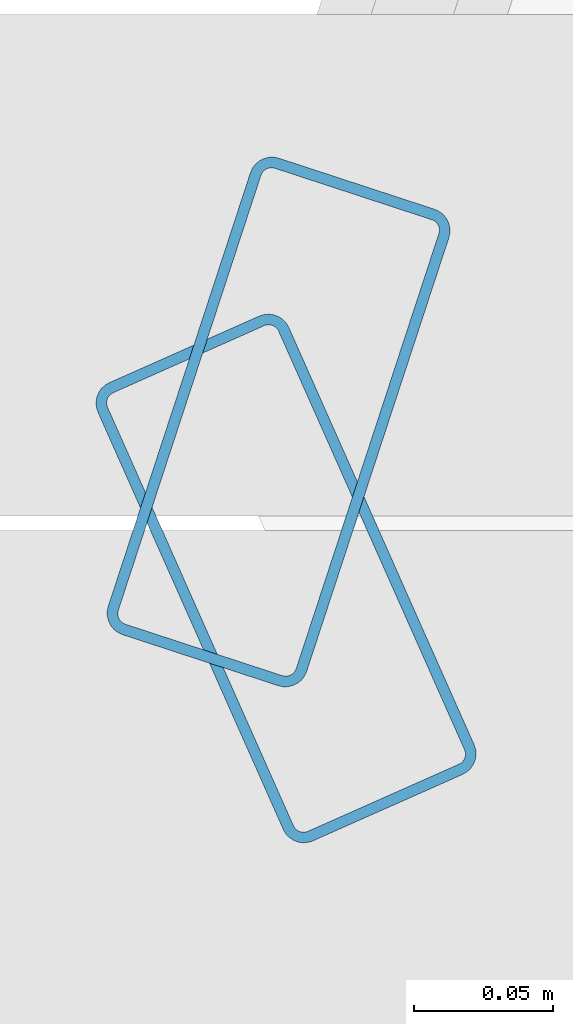
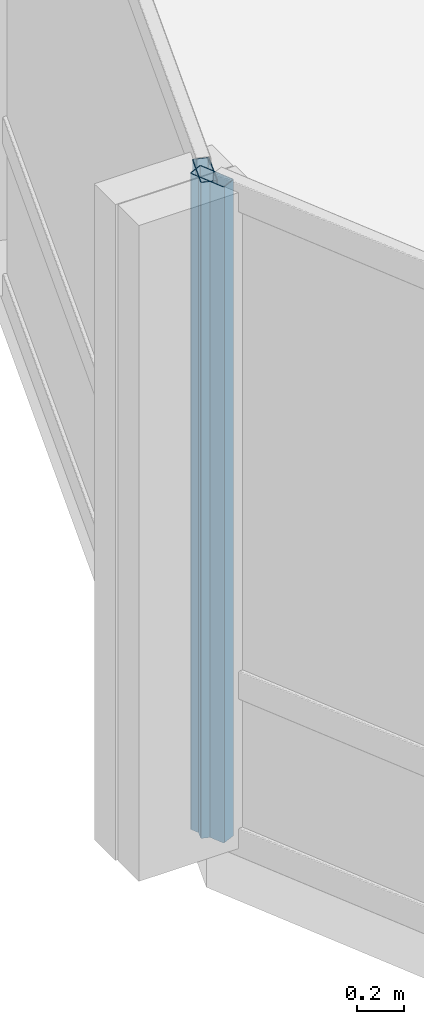
# One storey, part 6 of 34: 2 members, 2 elements without a shape of their own.
"""IFC4 building model written with IfcOpenShell, lengths in metres."""

from ifc_helpers import new_model, si_unit, direction, frame, origin, origin_2d, place, context, subcontext, project, spatial, hollow_rectangle, extrude, material, layer, layer_set, material_profile, profile_set, type_object, element, aggregate, save


model = new_model("IFC4")

# Units and contexts
model_context = context("Model", 3, precision=1e-05, world=origin(), true_north=direction((0.0, 1.0)))
body_context = subcontext(model_context, "Body", "Model", "MODEL_VIEW")
ifc_project = project(units=[si_unit("LENGTHUNIT", "METRE"), si_unit("AREAUNIT", "SQUARE_METRE"), si_unit("VOLUMEUNIT", "CUBIC_METRE"), si_unit("PLANEANGLEUNIT", "RADIAN"), si_unit("MASSUNIT", "GRAM", prefix="KILO")], contexts=[model_context])

# Site, building, storey
site_placement = place(None, origin())
site = spatial("IfcSite", under=ifc_project, at=site_placement, CompositionType="ELEMENT")
building_placement = place(site_placement, origin())
building = spatial("IfcBuilding", under=site, at=building_placement, Name="Solvaryn Broadcast Tower", CompositionType="ELEMENT")
storey_placement = place(building_placement, frame((0.0, 0.0, 43.39990234375)))
storey = spatial("IfcBuildingStorey", under=building, at=storey_placement, Name="L09", CompositionType="ELEMENT", Elevation=43.39990234375)

# Curtain wall, member
ifc_material_1 = material(Name="Aluminium and Terracotta Unitised Curtain Wall", Category="masonry")
ifc_layer = layer(ifc_material_1, 0.199951171875)
ifc_layer_set = layer_set([ifc_layer], Name="CW-SYS2-LOWMID")
curtain_wall_type = type_object("IfcCurtainWallType", Name="CW-SYS2-LOWMID", PredefinedType="NOTDEFINED", material=ifc_layer_set)
curtain_wall_1_placement = place(storey_placement, origin())
curtain_wall_1 = element("IfcCurtainWall", 1, at=curtain_wall_1_placement, inside=storey, type_object=curtain_wall_type, Name="L09 Curtain Wall DR1", PredefinedType="NOTDEFINED")
ifc_material_2 = material(Name="Anodised Aluminium 6063-T6", Category="aluminium")
ifc_material_profile = material_profile(ifc_material_2, hollow_rectangle(XDim=0.074951171875, YDim=0.179931640625, WallThickness=0.00390625, InnerFilletRadius=0.00390625, OuterFilletRadius=0.008056640625, at=origin_2d()))
ifc_profile_set = profile_set([ifc_material_profile], Name="Anodised Aluminium 6063-T6")
member_type = type_object("IfcMemberType", Name="CW-MUL-180", PredefinedType="MULLION", material=ifc_profile_set)
member_1_placement = place(storey_placement, frame((-0.45458984375, 26.588623046875, 0.0), z_axis=(0.0, 0.0, 1.0), x_axis=(0.950215318429, -0.311594044587, 0.0)))
member_1 = element("IfcMember", 2, at=member_1_placement, type_object=member_type, Name="CWS2 mullion 2", PredefinedType="MULLION", context=body_context, shape_type="SweptSolid", body=[
    extrude(hollow_rectangle(XDim=0.074951171875, YDim=0.179931640625, WallThickness=0.00390625, InnerFilletRadius=0.00390625, OuterFilletRadius=0.008056640625, at=origin_2d()), origin(), (0.0, 0.0, 1.0), 3.420166015625),
])
aggregate(curtain_wall_1, [member_1])

curtain_wall_2_placement = place(storey_placement, origin())
curtain_wall_2 = element("IfcCurtainWall", 3, at=curtain_wall_2_placement, inside=storey, type_object=curtain_wall_type, Name="L09 Curtain Wall DR2", PredefinedType="NOTDEFINED")
member_2_placement = place(storey_placement, frame((-0.451904296875, 26.532470703125, 0.0), z_axis=(0.0, 0.0, 1.0), x_axis=(0.913918257271, 0.405898286554, 0.0)))
member_2 = element("IfcMember", 4, at=member_2_placement, type_object=member_type, Name="CWS2 mullion 1", PredefinedType="MULLION", context=body_context, shape_type="SweptSolid", body=[
    extrude(hollow_rectangle(XDim=0.074951171875, YDim=0.179931640625, WallThickness=0.00390625, InnerFilletRadius=0.00390625, OuterFilletRadius=0.008056640625, at=origin_2d()), origin(), (0.0, 0.0, 1.0), 3.420166015625),
])
aggregate(curtain_wall_2, [member_2])

save(model, "model.ifc")
